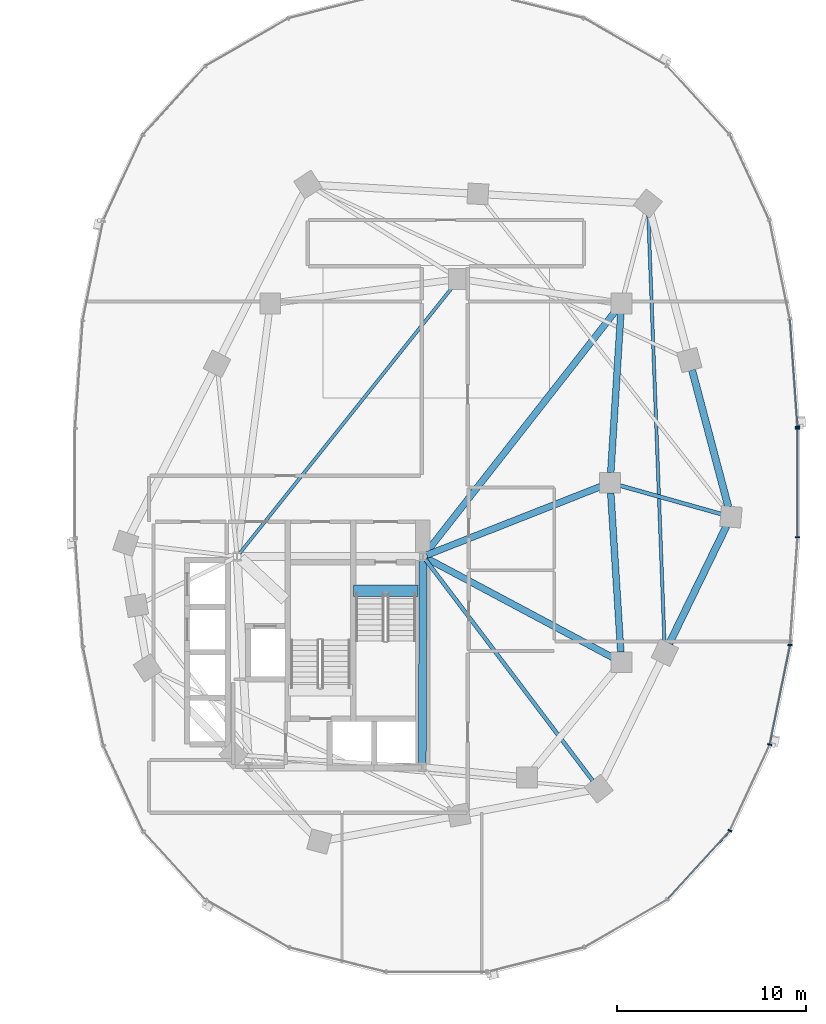
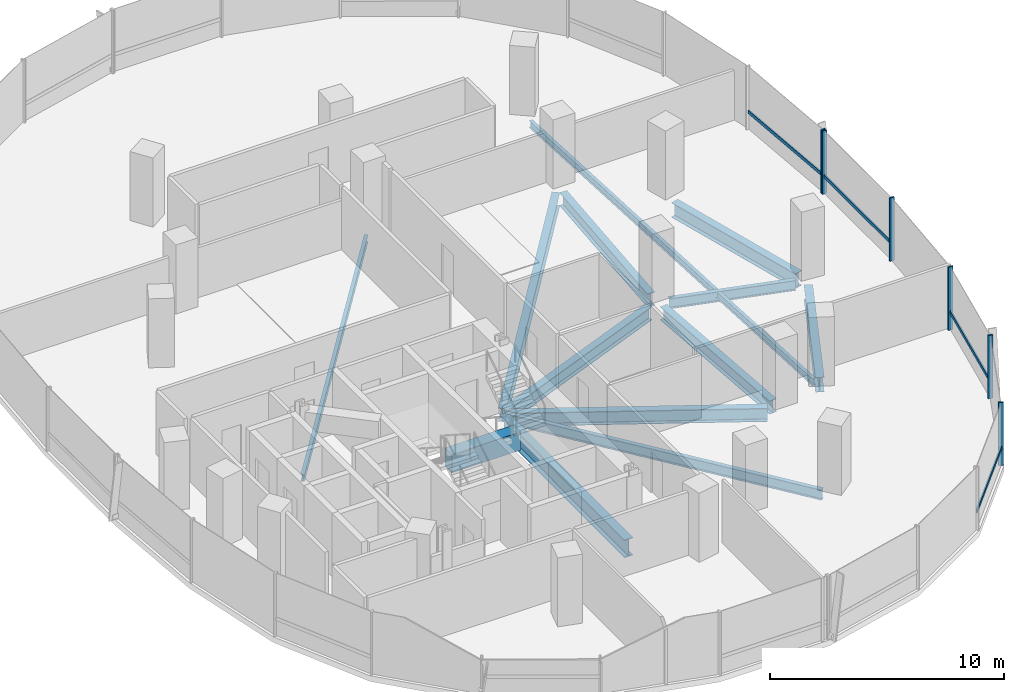
# One storey, part 6 of 21: 13 beams, 10 members, 2 elements without a shape of their own.
"""IFC4 building model written with IfcOpenShell, lengths in metres."""

from ifc_helpers import new_model, si_unit, direction, frame, origin, origin_2d, place, context, subcontext, project, spatial, rectangle, i_section, extrude, material, material_profile, profile_set, type_object, element, aggregate, save


model = new_model("IFC4")

# Units and contexts
model_context = context("Model", 3, precision=1e-05, world=origin(), true_north=direction((0.0, 1.0)))
body_context = subcontext(model_context, "Body", "Model", "MODEL_VIEW")
ifc_project = project(units=[si_unit("LENGTHUNIT", "METRE"), si_unit("AREAUNIT", "SQUARE_METRE"), si_unit("VOLUMEUNIT", "CUBIC_METRE"), si_unit("PLANEANGLEUNIT", "RADIAN"), si_unit("MASSUNIT", "GRAM", prefix="KILO"), si_unit("THERMODYNAMICTEMPERATUREUNIT", "KELVIN"), si_unit("POWERUNIT", "WATT")], contexts=[model_context])

# Site, building, storey
site_placement = place(None, origin())
site = spatial("IfcSite", under=ifc_project, at=site_placement, CompositionType="ELEMENT")
building_placement = place(site_placement, origin())
building = spatial("IfcBuilding", under=site, at=building_placement, Name="Cundina Bronze Exchange", CompositionType="ELEMENT")
storey_placement = place(building_placement, frame((0.0, 0.0, 103.39990234375)))
storey = spatial("IfcBuildingStorey", under=building, at=storey_placement, Name="L26", CompositionType="ELEMENT", Elevation=103.39990234375)

# Beams
ifc_material_1 = material(Name="Concrete C60/75", Category="concrete")
ifc_material_profile_1 = material_profile(ifc_material_1, rectangle(XDim=0.60009765625, YDim=0.949951171875, at=origin_2d()), Name="RC600X950", Category="concrete")
ifc_profile_set_1 = profile_set([ifc_material_profile_1], Name="Concrete C60/75")
beam_type_1 = type_object("IfcBeamType", Name="BM-COUP-RC950", PredefinedType="LINTEL", material=ifc_profile_set_1)
beam_1_placement = place(storey_placement, frame((27.6201171875, -5.719970703125, -0.474853515625), z_axis=(1.0, 0.0, 0.0), x_axis=(0.0, 1.0, 0.0)))
element("IfcBeam", 1, at=beam_1_placement, inside=storey, type_object=beam_type_1, Name="L26 Stair E1 Landing Header Beam", PredefinedType="LINTEL", context=body_context, shape_type="SweptSolid", body=[
    extrude(rectangle(XDim=0.60009765625, YDim=0.949951171875, at=origin_2d()), origin(), (0.0, 0.0, 1.0), 3.39990234375),
])
ifc_material_2 = material(Name="Steel ASTM A992 Grade 50", Category="steel")
ifc_material_profile_2 = material_profile(ifc_material_2, i_section(OverallWidth=0.2099609375, OverallDepth=0.532958984375, WebThickness=0.01025390625, FlangeThickness=0.015625, FilletRadius=0.013916015625, at=origin_2d()), Name="W21X62", Category="steel")
ifc_profile_set_2 = profile_set([ifc_material_profile_2], Name="Steel ASTM A992 Grade 50")
beam_type_2 = type_object("IfcBeamType", Name="BM-FLR-W21B", PredefinedType="BEAM", material=ifc_profile_set_2)
beam_2_placement = place(storey_placement, frame((31.423095703125, -4.062744140625, -0.56640625), z_axis=(0.603095885041, -0.797668699052, 0.0), x_axis=(0.797668699052, 0.603095885041, 0.0)))
element("IfcBeam", 2, at=beam_2_placement, inside=storey, type_object=beam_type_2, Name="L26 Leg E Chordal Floor Beam 06", PredefinedType="BEAM", context=body_context, shape_type="SweptSolid", body=[
    extrude(i_section(OverallWidth=0.2099609375, OverallDepth=0.532958984375, WebThickness=0.01025390625, FlangeThickness=0.015625, FilletRadius=0.013916015625, at=origin_2d()), origin(), (0.0, 0.0, 1.0), 14.677978515625),
])
beam_3_placement = place(storey_placement, frame((41.718017578125, -0.145751953125, -0.56640625), z_axis=(0.962654865541, -0.270731619598, 0.0), x_axis=(0.270731619598, 0.962654865541, 0.0)))
element("IfcBeam", 3, at=beam_3_placement, inside=storey, type_object=beam_type_2, Name="L26 Leg E Chordal Floor Beam 08", PredefinedType="BEAM", context=body_context, shape_type="SweptSolid", body=[
    extrude(i_section(OverallWidth=0.2099609375, OverallDepth=0.532958984375, WebThickness=0.01025390625, FlangeThickness=0.015625, FilletRadius=0.013916015625, at=origin_2d()), origin(), (0.0, 0.0, 1.0), 5.572021484375),
])
ifc_material_profile_3 = material_profile(ifc_material_2, i_section(OverallWidth=0.172119140625, OverallDepth=0.35791015625, WebThickness=0.0078125, FlangeThickness=0.01318359375, FilletRadius=0.010009765625, at=origin_2d()), Name="W14X38", Category="steel")
ifc_profile_set_3 = profile_set([ifc_material_profile_3], Name="Steel ASTM A992 Grade 50")
beam_type_3 = type_object("IfcBeamType", Name="BM-JST-W14", PredefinedType="JOIST", material=ifc_profile_set_3)
beam_4_placement = place(storey_placement, frame((21.577392578125, -3.740478515625, -0.47900390625), z_axis=(0.62436887964, 0.781129632095, 0.0), x_axis=(-0.781129632095, 0.62436887964, 0.0)))
element("IfcBeam", 4, at=beam_4_placement, inside=storey, type_object=beam_type_3, Name="L26 E Interior Core-to-Ring Joist 2", PredefinedType="JOIST", context=body_context, shape_type="SweptSolid", body=[
    extrude(i_section(OverallWidth=0.172119140625, OverallDepth=0.35791015625, WebThickness=0.0078125, FlangeThickness=0.01318359375, FilletRadius=0.010009765625, at=origin_2d()), origin(), (0.0, 0.0, 1.0), 18.076904296875),
])
beam_5_placement = place(storey_placement, frame((44.07958984375, -8.46240234375, -0.47900390625), z_axis=(-0.03778951385, 0.999285721224, 0.0), x_axis=(-0.999285721224, -0.03778951385, 0.0)))
element("IfcBeam", 5, at=beam_5_placement, inside=storey, type_object=beam_type_3, Name="L26 Leg E Lobe Floor Joist 07-10", PredefinedType="JOIST", context=body_context, shape_type="SweptSolid", body=[
    extrude(i_section(OverallWidth=0.172119140625, OverallDepth=0.35791015625, WebThickness=0.0078125, FlangeThickness=0.01318359375, FilletRadius=0.010009765625, at=origin_2d()), origin(), (0.0, 0.0, 1.0), 22.7412109375),
])
ifc_material_profile_4 = material_profile(ifc_material_2, i_section(OverallWidth=0.35498046875, OverallDepth=0.695068359375, WebThickness=0.015380859375, FlangeThickness=0.02490234375, FilletRadius=0.01806640625, at=origin_2d()), Name="W27X146", Category="steel")
ifc_profile_set_4 = profile_set([ifc_material_profile_4], Name="Steel ASTM A992 Grade 50")
beam_type_4 = type_object("IfcBeamType", Name="BM-RING-W27", PredefinedType="USERDEFINED", material=ifc_profile_set_4)
for number, where, z_axis, x_axis, name in (
    (6, (41.76611328125, -8.963134765625, -0.6474609375), (-0.06303715519, 0.998011180832, 0.0), (-0.998011180832, -0.06303715519, 0.0), "L26 E Inner Structural Ring Girder 03"),
    (7, (41.23388671875, 0.536865234375, -0.6474609375), (0.06303715519, 0.998011180832, 0.0), (-0.998011180832, 0.06303715519, 0.0), "L26 E Inner Structural Ring Girder 04"),
):
    element("IfcBeam", number, at=place(storey_placement, frame(where, z_axis=z_axis, x_axis=x_axis)), inside=storey, type_object=beam_type_4, Name=name, ObjectType="GIRDER", PredefinedType="USERDEFINED", context=body_context, shape_type="SweptSolid", body=[
        extrude(i_section(OverallWidth=0.35498046875, OverallDepth=0.695068359375, WebThickness=0.015380859375, FlangeThickness=0.02490234375, FilletRadius=0.01806640625, at=origin_2d()), origin(), (0.0, 0.0, 1.0), 8.443115234375),
    ])
beam_6_placement = place(storey_placement, frame((31.48974609375, -3.8251953125, -0.6474609375), z_axis=(0.930413235418, 0.366512225388, 0.0), x_axis=(-0.366512225388, 0.930413235418, 0.0)))
element("IfcBeam", 8, at=beam_6_placement, inside=storey, type_object=beam_type_4, Name="L26 E Core-to-Waist Tie Beam 1", ObjectType="GIRDER", PredefinedType="USERDEFINED", context=body_context, shape_type="SweptSolid", body=[
    extrude(i_section(OverallWidth=0.35498046875, OverallDepth=0.695068359375, WebThickness=0.015380859375, FlangeThickness=0.02490234375, FilletRadius=0.01806640625, at=origin_2d()), origin(), (0.0, 0.0, 1.0), 9.8984375),
])
beam_7_placement = place(storey_placement, frame((31.47998046875, -3.99609375, -0.6474609375), z_axis=(0.882354758239, -0.470584828286, 0.0), x_axis=(0.470584828286, 0.882354758239, 0.0)))
element("IfcBeam", 9, at=beam_7_placement, inside=storey, type_object=beam_type_4, Name="L26 E Core-to-Waist Tie Beam 2", ObjectType="GIRDER", PredefinedType="USERDEFINED", context=body_context, shape_type="SweptSolid", body=[
    extrude(i_section(OverallWidth=0.35498046875, OverallDepth=0.695068359375, WebThickness=0.015380859375, FlangeThickness=0.02490234375, FilletRadius=0.01806640625, at=origin_2d()), origin(), (0.0, 0.0, 1.0), 11.157958984375),
])
beam_8_placement = place(storey_placement, frame((31.42578125, -3.739501953125, -0.6474609375), z_axis=(0.616789275748, 0.787128318206, 0.0), x_axis=(-0.787128318206, 0.616789275748, 0.0)))
element("IfcBeam", 10, at=beam_8_placement, inside=storey, type_object=beam_type_4, Name="L26 E Core-to-Waist Tie Beam 3", ObjectType="GIRDER", PredefinedType="USERDEFINED", context=body_context, shape_type="SweptSolid", body=[
    extrude(i_section(OverallWidth=0.35498046875, OverallDepth=0.695068359375, WebThickness=0.015380859375, FlangeThickness=0.02490234375, FilletRadius=0.01806640625, at=origin_2d()), origin(), (0.0, 0.0, 1.0), 16.281982421875),
])
ifc_material_profile_5 = material_profile(ifc_material_2, i_section(OverallWidth=0.381103515625, OverallDepth=0.77294921875, WebThickness=0.0166015625, FlangeThickness=0.027099609375, FilletRadius=0.01904296875, at=origin_2d()), Name="W30X173", Category="steel")
ifc_profile_set_5 = profile_set([ifc_material_profile_5], Name="Steel ASTM A992 Grade 50")
beam_type_5 = type_object("IfcBeamType", Name="BM-RING-W30", PredefinedType="USERDEFINED", material=ifc_profile_set_5)
beam_9_placement = place(storey_placement, frame((44.335205078125, -8.51611328125, -0.6865234375), z_axis=(0.437193894283, 0.899367276924, 0.0), x_axis=(-0.899367276924, 0.437193894283, 0.0)))
element("IfcBeam", 11, at=beam_9_placement, inside=storey, type_object=beam_type_5, Name="L26 E Perimeter Ring Girder 07", ObjectType="GIRDER", PredefinedType="USERDEFINED", context=body_context, shape_type="SweptSolid", body=[
    extrude(i_section(OverallWidth=0.381103515625, OverallDepth=0.77294921875, WebThickness=0.0166015625, FlangeThickness=0.027099609375, FilletRadius=0.01904296875, at=origin_2d()), origin(), (0.0, 0.0, 1.0), 6.929443359375),
])
beam_10_placement = place(storey_placement, frame((47.462158203125, -1.280029296875, -0.6865234375), z_axis=(-0.256209719931, 0.966621218168, 0.0), x_axis=(-0.966621218168, -0.256209719931, 0.0)))
element("IfcBeam", 12, at=beam_10_placement, inside=storey, type_object=beam_type_5, Name="L26 E Perimeter Ring Girder 08", ObjectType="GIRDER", PredefinedType="USERDEFINED", context=body_context, shape_type="SweptSolid", body=[
    extrude(i_section(OverallWidth=0.381103515625, OverallDepth=0.77294921875, WebThickness=0.0166015625, FlangeThickness=0.027099609375, FilletRadius=0.01904296875, at=origin_2d()), origin(), (0.0, 0.0, 1.0), 7.5107421875),
])
ifc_material_profile_6 = material_profile(ifc_material_2, i_section(OverallWidth=0.41796875, OverallDepth=0.927001953125, WebThickness=0.019287109375, FlangeThickness=0.031982421875, FilletRadius=0.02392578125, at=origin_2d()), Name="W36X231", Category="steel")
ifc_profile_set_6 = profile_set([ifc_material_profile_6], Name="Steel ASTM A992 Grade 50")
beam_type_6 = type_object("IfcBeamType", Name="BM-WRN-W36B", PredefinedType="USERDEFINED", material=ifc_profile_set_6)
beam_11_placement = place(storey_placement, frame((31.2509765625, -14.845947265625, -0.763427734375), z_axis=(0.004477329608, 0.99998997671, 0.0), x_axis=(-0.99998997671, 0.004477329608, 0.0)))
element("IfcBeam", 13, at=beam_11_placement, inside=storey, type_object=beam_type_6, Name="L26 E Core Perimeter Tie Girder 4", ObjectType="GIRDER", PredefinedType="USERDEFINED", context=body_context, shape_type="SweptSolid", body=[
    extrude(i_section(OverallWidth=0.41796875, OverallDepth=0.927001953125, WebThickness=0.019287109375, FlangeThickness=0.031982421875, FilletRadius=0.02392578125, at=origin_2d()), origin(), (0.0, 0.0, 1.0), 10.741943359375),
])

# Curtain wall, member
ifc_material_3 = material(Name="Anodised Bronze Aluminium 6063-T6", Category="aluminium")
curtain_wall_type = type_object("IfcCurtainWallType", Name="CWS-TRD-MID", PredefinedType="NOTDEFINED", material=ifc_material_3)
curtain_wall_1_placement = place(storey_placement, origin())
curtain_wall_1 = element("IfcCurtainWall", 14, at=curtain_wall_1_placement, inside=storey, type_object=curtain_wall_type, Name="L26 CW-03 Curtain Wall Run CWR-L26-E1", PredefinedType="NOTDEFINED")
ifc_material_profile_7 = material_profile(ifc_material_3, rectangle(XDim=0.074951171875, YDim=0.219970703125, at=origin_2d()), Name="AL75X220", Category="aluminium")
ifc_profile_set_7 = profile_set([ifc_material_profile_7], Name="Anodised Bronze Aluminium 6063-T6")
member_type_1 = type_object("IfcMemberType", Name="CWM-MUL-220", PredefinedType="MULLION", material=ifc_profile_set_7)
member_1_placement = place(storey_placement, frame((51.12451171875, 2.976318359375, 0.0), z_axis=(0.0, 0.0, 1.0), x_axis=(-0.070278787473, 0.997527389113, 0.0)))
member_1 = element("IfcMember", 15, at=member_1_placement, type_object=member_type_1, Name="CW-03 Mullion 1", PredefinedType="MULLION", context=body_context, shape_type="SweptSolid", body=[
    extrude(rectangle(XDim=0.074951171875, YDim=0.219970703125, at=origin_2d()), origin(), (0.0, 0.0, 1.0), 3.300048828125),
])

# Curtain wall, members
curtain_wall_2_placement = place(storey_placement, origin())
curtain_wall_2 = element("IfcCurtainWall", 16, at=curtain_wall_2_placement, inside=storey, type_object=curtain_wall_type, Name="L26 CW-03 Curtain Wall Run CWR-L26-E4", PredefinedType="NOTDEFINED")
member_2_placement = place(storey_placement, frame((47.544189453125, -18.423583984375, 0.0), z_axis=(0.0, 0.0, 1.0), x_axis=(0.42087749791, 0.907117485088, 0.0)))
member_2 = element("IfcMember", 17, at=member_2_placement, type_object=member_type_1, Name="CW-03 Mullion 4", PredefinedType="MULLION", context=body_context, shape_type="SweptSolid", body=[
    extrude(rectangle(XDim=0.074951171875, YDim=0.219970703125, at=origin_2d()), origin(), (0.0, 0.0, 1.0), 3.300048828125),
])
member_3_placement = place(storey_placement, frame((49.651123046875, -13.861328125, 0.0), z_axis=(0.0, 0.0, 1.0), x_axis=(0.201419845156, 0.979505000486, 0.0)))
member_3 = element("IfcMember", 18, at=member_3_placement, type_object=member_type_1, Name="CW-03 Mullion 5", PredefinedType="MULLION", context=body_context, shape_type="SweptSolid", body=[
    extrude(rectangle(XDim=0.074951171875, YDim=0.219970703125, at=origin_2d()), origin(), (0.0, 0.0, 1.0), 3.300048828125),
])
member_4_placement = place(storey_placement, frame((50.72900390625, -8.591552734375, 0.0), z_axis=(0.0, 0.0, 1.0), x_axis=(0.070278787473, 0.997527389113, 0.0)))
member_4 = element("IfcMember", 19, at=member_4_placement, type_object=member_type_1, Name="CW-03 Mullion 6", PredefinedType="MULLION", context=body_context, shape_type="SweptSolid", body=[
    extrude(rectangle(XDim=0.074951171875, YDim=0.219970703125, at=origin_2d()), origin(), (0.0, 0.0, 1.0), 3.300048828125),
])
member_5_placement = place(storey_placement, frame((51.1279296875, -2.880615234375, 0.0), z_axis=(0.0, 0.0, 1.0), x_axis=(0.0, 1.0, 0.0)))
member_5 = element("IfcMember", 20, at=member_5_placement, type_object=member_type_1, Name="CW-03 Mullion 7", PredefinedType="MULLION", context=body_context, shape_type="SweptSolid", body=[
    extrude(rectangle(XDim=0.074951171875, YDim=0.219970703125, at=origin_2d()), origin(), (0.0, 0.0, 1.0), 3.300048828125),
])
member_6_placement = place(storey_placement, frame((51.1279296875, 2.880615234375, 0.0), z_axis=(0.0, 0.0, 1.0), x_axis=(0.0, 1.0, 0.0)))
member_6 = element("IfcMember", 21, at=member_6_placement, type_object=member_type_1, Name="CW-03 End Mullion", PredefinedType="MULLION", context=body_context, shape_type="SweptSolid", body=[
    extrude(rectangle(XDim=0.074951171875, YDim=0.219970703125, at=origin_2d()), origin(), (0.0, 0.0, 1.0), 3.300048828125),
])

# Member
ifc_material_profile_8 = material_profile(ifc_material_3, rectangle(XDim=0.070068359375, YDim=0.179931640625, at=origin_2d()), Name="AL70X180", Category="aluminium")
ifc_profile_set_8 = profile_set([ifc_material_profile_8], Name="Anodised Bronze Aluminium 6063-T6")
member_type_2 = type_object("IfcMemberType", Name="CWM-TRN-180", PredefinedType="USERDEFINED", material=ifc_profile_set_8)
member_7_placement = place(storey_placement, frame((51.12158203125, 3.017333984375, 0.920166015625), z_axis=(-0.070260714471, 0.997528662246, 0.0), x_axis=(-0.997528662246, -0.070260714471, 0.0)))
member_7 = element("IfcMember", 22, at=member_7_placement, type_object=member_type_2, Name="CW-03 Spandrel Transom 1", ObjectType="TRANSOM", PredefinedType="USERDEFINED", context=body_context, shape_type="SweptSolid", body=[
    extrude(rectangle(XDim=0.070068359375, YDim=0.179931640625, at=origin_2d()), origin(), (0.0, 0.0, 1.0), 5.629150390625),
])

aggregate(curtain_wall_1, [member_1, member_7])

member_8_placement = place(storey_placement, frame((44.26708984375, -22.027099609375, 0.920166015625), z_axis=(0.674302794847, 0.738454968743, 0.0), x_axis=(-0.738454968743, 0.674302794847, 0.0)))
member_8 = element("IfcMember", 23, at=member_8_placement, type_object=member_type_2, Name="CW-03 Spandrel Transom 3", ObjectType="TRANSOM", PredefinedType="USERDEFINED", context=body_context, shape_type="SweptSolid", body=[
    extrude(rectangle(XDim=0.070068359375, YDim=0.179931640625, at=origin_2d()), origin(), (0.0, 0.0, 1.0), 4.848388671875),
])

member_9_placement = place(storey_placement, frame((49.659423828125, -13.821044921875, 0.920166015625), z_axis=(0.201427712708, 0.979503382615, 0.0), x_axis=(-0.979503382615, 0.201427712708, 0.0)))
member_9 = element("IfcMember", 24, at=member_9_placement, type_object=member_type_2, Name="CW-03 Spandrel Transom 5", ObjectType="TRANSOM", PredefinedType="USERDEFINED", context=body_context, shape_type="SweptSolid", body=[
    extrude(rectangle(XDim=0.070068359375, YDim=0.179931640625, at=origin_2d()), origin(), (0.0, 0.0, 1.0), 5.291748046875),
])

member_10_placement = place(storey_placement, frame((51.1279296875, -2.839111328125, 0.920166015625), z_axis=(0.0, 1.0, 0.0), x_axis=(-1.0, 0.0, 0.0)))
member_10 = element("IfcMember", 25, at=member_10_placement, type_object=member_type_2, Name="CW-03 Spandrel Transom 7", ObjectType="TRANSOM", PredefinedType="USERDEFINED", context=body_context, shape_type="SweptSolid", body=[
    extrude(rectangle(XDim=0.070068359375, YDim=0.179931640625, at=origin_2d()), origin(), (0.0, 0.0, 1.0), 5.67822265625),
])

aggregate(curtain_wall_2, [member_8, member_2, member_3, member_9, member_4, member_5, member_6, member_10])

save(model, "model.ifc")
